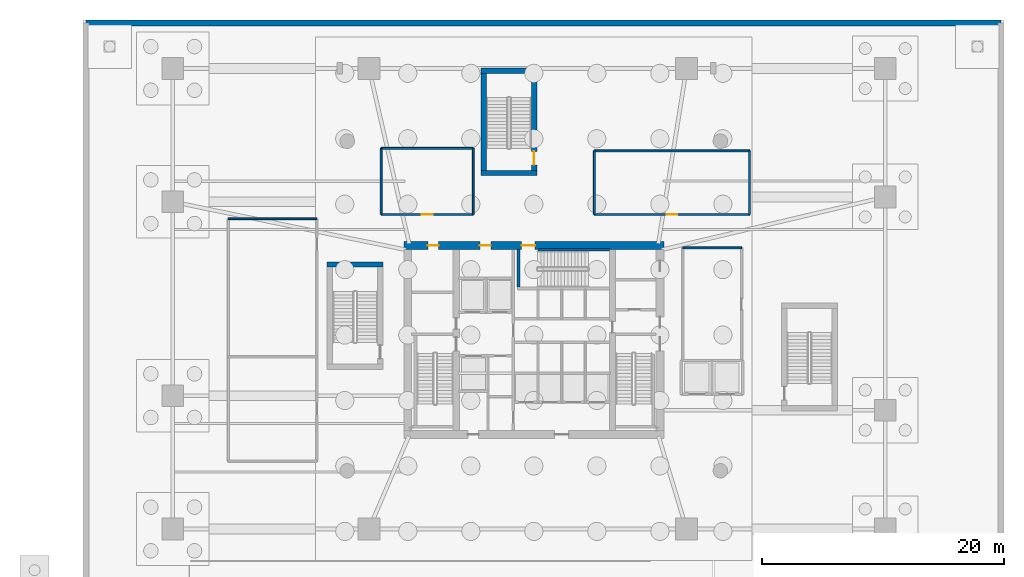
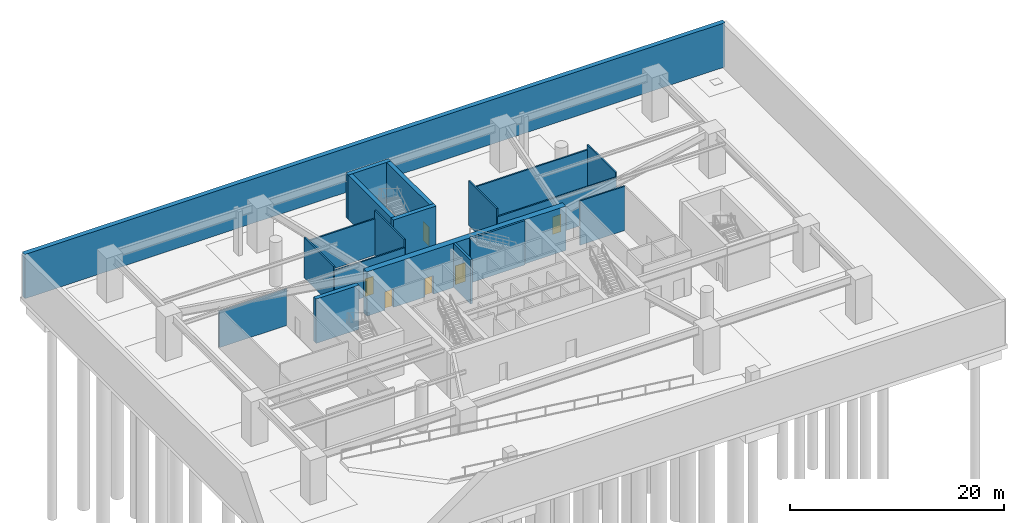
# One storey, part 7 of 11: 19 walls, 6 doors, 6 openings.
"""IFC4 building model written with IfcOpenShell, lengths in metres."""

from ifc_helpers import new_model, si_unit, direction, frame, frame_2d, origin, place, context, subcontext, project, spatial, rectangle, extrude, material, layer, layer_set, type_object, element, fill, save


model = new_model("IFC4")

# Units and contexts
model_context = context("Model", 3, precision=1e-05, world=origin(), true_north=direction((0.0, 1.0)))
body_context = subcontext(model_context, "Body", "Model", "MODEL_VIEW")
ifc_project = project(units=[si_unit("LENGTHUNIT", "METRE"), si_unit("AREAUNIT", "SQUARE_METRE"), si_unit("VOLUMEUNIT", "CUBIC_METRE"), si_unit("PLANEANGLEUNIT", "RADIAN"), si_unit("MASSUNIT", "GRAM", prefix="KILO")], contexts=[model_context])

# Site, building, storey
site_placement = place(None, origin())
site = spatial("IfcSite", under=ifc_project, at=site_placement, CompositionType="ELEMENT")
building_placement = place(site_placement, origin())
building = spatial("IfcBuilding", under=site, at=building_placement, Name="Qarnah Convention Tower", CompositionType="ELEMENT")
storey_placement = place(building_placement, frame((0.0, 0.0, -5.39990234375)))
storey = spatial("IfcBuildingStorey", under=building, at=storey_placement, Name="B1", CompositionType="ELEMENT", Elevation=-5.39990234375)

# Wall, openings, doors
ifc_material_1 = material(Name="Concrete C60/75", Category="concrete")
ifc_layer_1 = layer(ifc_material_1, 0.64990234375)
ifc_layer_set_1 = layer_set([ifc_layer_1], Name="Concrete C60/75")
wall_type_1 = type_object("IfcWallType", Name="WL-CORE-650", PredefinedType="SHEAR", material=ifc_layer_set_1)
wall_1_placement = place(storey_placement, frame((26.47509765625, 34.199951171875, 0.0), z_axis=(0.0, 0.0, 1.0), x_axis=(1.0, 0.0, 0.0)))
wall_1 = element("IfcWall", 1, at=wall_1_placement, inside=storey, type_object=wall_type_1, Name="B1 core north shear wall", PredefinedType="SHEAR", context=body_context, shape_type="SweptSolid", body=[
    extrude(rectangle(XDim=21.449951171875, YDim=0.64990234375, at=frame_2d((10.72509765625, 0.0))), origin(), (0.0, 0.0, 1.0), 5.0498046875),
])
opening_1_placement = place(wall_1_placement, frame((9.72509765625, 0.0, 0.0)))
opening_1 = element("IfcOpeningElement", 2, at=opening_1_placement, cuts=wall_1, Name="Opening D-B103", PredefinedType="OPENING", context=body_context, shape_type="SweptSolid", body=[
    extrude(rectangle(XDim=1.10009765625, YDim=2.14990234375, at=frame_2d((0.550048828125, 1.074951171875))), frame((0.0, 0.3349609375, 0.0), z_axis=(0.0, -1.0, 0.0), x_axis=(1.0, 0.0, 0.0)), (0.0, 0.0, 1.0), 0.669921875),
])
opening_2_placement = place(wall_1_placement, frame((1.97509765625, 0.0, 0.0)))
opening_2 = element("IfcOpeningElement", 3, at=opening_2_placement, cuts=wall_1, Name="Opening D-B109", PredefinedType="OPENING", context=body_context, shape_type="SweptSolid", body=[
    extrude(rectangle(XDim=0.89990234375, YDim=2.10009765625, at=frame_2d((0.449951171875, 1.050048828125))), frame((0.0, 0.3349609375, 0.0), z_axis=(0.0, -1.0, 0.0), x_axis=(1.0, 0.0, 0.0)), (0.0, 0.0, 1.0), 0.669921875),
])
opening_3_placement = place(wall_1_placement, frame((6.27490234375, 0.0, 0.0)))
opening_3 = element("IfcOpeningElement", 4, at=opening_3_placement, cuts=wall_1, Name="Opening D-B110", PredefinedType="OPENING", context=body_context, shape_type="SweptSolid", body=[
    extrude(rectangle(XDim=0.89990234375, YDim=2.10009765625, at=frame_2d((0.449951171875, 1.050048828125))), frame((0.0, 0.3349609375, 0.0), z_axis=(0.0, -1.0, 0.0), x_axis=(1.0, 0.0, 0.0)), (0.0, 0.0, 1.0), 0.669921875),
])
ifc_material_2 = material(Name="Structural steel S355JR", Category="steel")
door_type_1 = type_object("IfcDoorType", Name="DT-RISER-900", OperationType="NOTDEFINED", PredefinedType="DOOR", material=ifc_material_2)
door_1_placement = place(opening_2_placement, origin())
door_1 = element("IfcDoor", 5, at=door_1_placement, inside=storey, type_object=door_type_1, Name="Door D-B109", OperationType="SINGLE_SWING_LEFT", OverallHeight=2.10009765625, OverallWidth=0.89990234375, PredefinedType="DOOR", context=body_context, shape_type="SweptSolid", body=[
    extrude(rectangle(XDim=0.89990234375, YDim=2.10009765625, at=frame_2d((0.449951171875, 1.050048828125))), frame((0.0, 0.02490234375, 0.0), z_axis=(0.0, -1.0, 0.0), x_axis=(1.0, 0.0, 0.0)), (0.0, 0.0, 1.0), 0.050048828125),
])
fill(opening_2, door_1)
door_2_placement = place(opening_3_placement, origin())
door_2 = element("IfcDoor", 6, at=door_2_placement, inside=storey, type_object=door_type_1, Name="Door D-B110", OperationType="SINGLE_SWING_RIGHT", OverallHeight=2.10009765625, OverallWidth=0.89990234375, PredefinedType="DOOR", context=body_context, shape_type="SweptSolid", body=[
    extrude(rectangle(XDim=0.89990234375, YDim=2.10009765625, at=frame_2d((0.449951171875, 1.050048828125))), frame((0.0, 0.02490234375, 0.0), z_axis=(0.0, -1.0, 0.0), x_axis=(1.0, 0.0, 0.0)), (0.0, 0.0, 1.0), 0.050048828125),
])
fill(opening_3, door_2)
door_type_2 = type_object("IfcDoorType", Name="DT-STAIR-1100", OperationType="NOTDEFINED", PredefinedType="DOOR", material=ifc_material_2)
door_3_placement = place(opening_1_placement, origin())
door_3 = element("IfcDoor", 7, at=door_3_placement, inside=storey, type_object=door_type_2, Name="Door D-B103", OperationType="SINGLE_SWING_LEFT", OverallHeight=2.14990234375, OverallWidth=1.10009765625, PredefinedType="DOOR", context=body_context, shape_type="SweptSolid", body=[
    extrude(rectangle(XDim=1.10009765625, YDim=2.14990234375, at=frame_2d((0.550048828125, 1.074951171875))), frame((0.0, 0.02490234375, 0.0), z_axis=(0.0, -1.0, 0.0), x_axis=(1.0, 0.0, 0.0)), (0.0, 0.0, 1.0), 0.050048828125),
])
fill(opening_1, door_3)

# Walls
ifc_layer_2 = layer(ifc_material_1, 0.219970703125)
ifc_layer_set_2 = layer_set([ifc_layer_2], Name="Concrete C60/75")
wall_type_2 = type_object("IfcWallType", Name="WL-CORE-STAIR-220", PredefinedType="SHEAR", material=ifc_layer_set_2)
wall_2_placement = place(storey_placement, frame((35.93994140625, 30.75, 0.0), z_axis=(0.0, 0.0, 1.0), x_axis=(0.0, 1.0, 0.0)))
element("IfcWall", 8, at=wall_2_placement, inside=storey, type_object=wall_type_2, Name="B1 stair shaft shear wall SW-B1-ST3W", PredefinedType="SHEAR", context=body_context, shape_type="SweptSolid", body=[
    extrude(rectangle(XDim=3.125, YDim=0.219970703125, at=frame_2d((1.5625, 0.0))), origin(), (0.0, 0.0, 1.0), 5.0498046875),
])
wall_3_placement = place(storey_placement, frame((37.550048828125, 33.840087890625, 0.0), z_axis=(0.0, 0.0, 1.0), x_axis=(1.0, 0.0, 0.0)))
element("IfcWall", 9, at=wall_3_placement, inside=storey, type_object=wall_type_2, Name="B1 stair shaft shear wall SW-B1-ST3N", PredefinedType="SHEAR", context=body_context, shape_type="SweptSolid", body=[
    extrude(rectangle(XDim=5.89990234375, YDim=0.219970703125, at=frame_2d((2.949951171875, 0.0))), origin(), (0.0, 0.0, 1.0), 5.0498046875),
])
ifc_material_3 = material(Name="Gypsum partition board")
ifc_layer_3 = layer(ifc_material_3, 0.159912109375)
ifc_layer_set_3 = layer_set([ifc_layer_3], Name="Gypsum partition board")
wall_type_3 = type_object("IfcWallType", Name="WL-CORR-160", PredefinedType="PARTITIONING", material=ifc_layer_set_3)
wall_4_placement = place(storey_placement, frame((19.300048828125, 36.39990234375, 0.0), z_axis=(0.0, 0.0, 1.0), x_axis=(-1.0, 0.0, 0.0)))
element("IfcWall", 10, at=wall_4_placement, inside=storey, type_object=wall_type_3, Name="B1 interior wall IW-B1-R-06", PredefinedType="PARTITIONING", context=body_context, shape_type="SweptSolid", body=[
    extrude(rectangle(XDim=7.300048828125, YDim=0.159912109375, at=frame_2d((3.64990234375, 0.0))), origin(), (0.0, 0.0, 1.0), 4.135009765625),
])
wall_5_placement = place(storey_placement, frame((54.35009765625, 34.0, 0.0), z_axis=(0.0, 0.0, 1.0), x_axis=(-1.0, 0.0, 0.0)))
element("IfcWall", 11, at=wall_5_placement, inside=storey, type_object=wall_type_3, Name="B1 interior wall IW-B1-R-09", PredefinedType="PARTITIONING", context=body_context, shape_type="SweptSolid", body=[
    extrude(rectangle(XDim=4.85009765625, YDim=0.159912109375, at=frame_2d((2.425048828125, 0.0))), origin(), (0.0, 0.0, 1.0), 5.0498046875),
])
wall_6_placement = place(storey_placement, frame((32.199951171875, 36.75, 0.0), z_axis=(0.0, 0.0, 1.0), x_axis=(0.0, 1.0, 0.0)))
element("IfcWall", 12, at=wall_6_placement, inside=storey, type_object=wall_type_3, Name="B1 interior wall IW-B1-R-11", PredefinedType="PARTITIONING", context=body_context, shape_type="SweptSolid", body=[
    extrude(rectangle(XDim=5.449951171875, YDim=0.159912109375, at=frame_2d((2.72509765625, 0.0))), origin(), (0.0, 0.0, 1.0), 5.0498046875),
])
wall_7_placement = place(storey_placement, frame((32.199951171875, 42.199951171875, 0.0), z_axis=(0.0, 0.0, 1.0), x_axis=(-1.0, 0.0, 0.0)))
element("IfcWall", 13, at=wall_7_placement, inside=storey, type_object=wall_type_3, Name="B1 interior wall IW-B1-R-12", PredefinedType="PARTITIONING", context=body_context, shape_type="SweptSolid", body=[
    extrude(rectangle(XDim=7.599853515625, YDim=0.159912109375, at=frame_2d((3.7998046875, 0.0))), origin(), (0.0, 0.0, 1.0), 4.135009765625),
])
wall_8_placement = place(storey_placement, frame((24.60009765625, 42.199951171875, 0.0), z_axis=(0.0, 0.0, 1.0), x_axis=(0.0, -1.0, 0.0)))
element("IfcWall", 14, at=wall_8_placement, inside=storey, type_object=wall_type_3, Name="B1 interior wall IW-B1-R-13", PredefinedType="PARTITIONING", context=body_context, shape_type="SweptSolid", body=[
    extrude(rectangle(XDim=5.449951171875, YDim=0.159912109375, at=frame_2d((2.72509765625, 0.0))), origin(), (0.0, 0.0, 1.0), 4.626953125),
])

# Wall, opening, door
wall_9_placement = place(storey_placement, frame((24.60009765625, 36.75, 0.0), z_axis=(0.0, 0.0, 1.0), x_axis=(1.0, 0.0, 0.0)))
wall_9 = element("IfcWall", 15, at=wall_9_placement, inside=storey, type_object=wall_type_3, Name="B1 interior wall IW-B1-R-14", PredefinedType="PARTITIONING", context=body_context, shape_type="SweptSolid", body=[
    extrude(rectangle(XDim=7.599853515625, YDim=0.159912109375, at=frame_2d((3.7998046875, 0.0))), origin(), (0.0, 0.0, 1.0), 4.135009765625),
])
opening_4_placement = place(wall_9_placement, frame((3.35009765625, 0.0, 0.0)))
opening_4 = element("IfcOpeningElement", 16, at=opening_4_placement, cuts=wall_9, Name="Opening D-B122", PredefinedType="OPENING", context=body_context, shape_type="SweptSolid", body=[
    extrude(rectangle(XDim=0.89990234375, YDim=2.0, at=frame_2d((0.449951171875, 1.0))), frame((0.0, 0.08984375, 0.0), z_axis=(0.0, -1.0, 0.0), x_axis=(1.0, 0.0, 0.0)), (0.0, 0.0, 1.0), 0.179931640625),
])
door_type_3 = type_object("IfcDoorType", Name="DT-PLANT-900", OperationType="NOTDEFINED", PredefinedType="DOOR", material=ifc_material_2)
door_4_placement = place(opening_4_placement, origin())
door_4 = element("IfcDoor", 17, at=door_4_placement, inside=storey, type_object=door_type_3, Name="Door D-B122", OperationType="SINGLE_SWING_RIGHT", OverallHeight=2.0, OverallWidth=0.89990234375, PredefinedType="DOOR", context=body_context, shape_type="SweptSolid", body=[
    extrude(rectangle(XDim=0.89990234375, YDim=2.0, at=frame_2d((0.449951171875, 1.0))), frame((0.0, 0.02490234375, 0.0), z_axis=(0.0, -1.0, 0.0), x_axis=(1.0, 0.0, 0.0)), (0.0, 0.0, 1.0), 0.050048828125),
])
fill(opening_4, door_4)

# Walls
wall_10_placement = place(storey_placement, frame((55.0, 36.75, 0.0), z_axis=(0.0, 0.0, 1.0), x_axis=(0.0, 1.0, 0.0)))
element("IfcWall", 18, at=wall_10_placement, inside=storey, type_object=wall_type_3, Name="B1 interior wall IW-B1-R-15", PredefinedType="PARTITIONING", context=body_context, shape_type="SweptSolid", body=[
    extrude(rectangle(XDim=5.25, YDim=0.159912109375, at=frame_2d((2.625, 0.0))), origin(), (0.0, 0.0, 1.0), 4.678955078125),
])
wall_11_placement = place(storey_placement, frame((55.0, 42.0, 0.0), z_axis=(0.0, 0.0, 1.0), x_axis=(-1.0, 0.0, 0.0)))
element("IfcWall", 19, at=wall_11_placement, inside=storey, type_object=wall_type_3, Name="B1 interior wall IW-B1-R-16", PredefinedType="PARTITIONING", context=body_context, shape_type="SweptSolid", body=[
    extrude(rectangle(XDim=12.800048828125, YDim=0.159912109375, at=frame_2d((6.39990234375, 0.0))), origin(), (0.0, 0.0, 1.0), 4.135009765625),
])
wall_12_placement = place(storey_placement, frame((42.199951171875, 42.0, 0.0), z_axis=(0.0, 0.0, 1.0), x_axis=(0.0, -1.0, 0.0)))
element("IfcWall", 20, at=wall_12_placement, inside=storey, type_object=wall_type_3, Name="B1 interior wall IW-B1-R-17", PredefinedType="PARTITIONING", context=body_context, shape_type="SweptSolid", body=[
    extrude(rectangle(XDim=5.25, YDim=0.159912109375, at=frame_2d((2.625, 0.0))), origin(), (0.0, 0.0, 1.0), 5.0498046875),
])

# Wall, opening, door
wall_13_placement = place(storey_placement, frame((42.199951171875, 36.75, 0.0), z_axis=(0.0, 0.0, 1.0), x_axis=(1.0, 0.0, 0.0)))
wall_13 = element("IfcWall", 21, at=wall_13_placement, inside=storey, type_object=wall_type_3, Name="B1 interior wall IW-B1-R-18", PredefinedType="PARTITIONING", context=body_context, shape_type="SweptSolid", body=[
    extrude(rectangle(XDim=12.800048828125, YDim=0.159912109375, at=frame_2d((6.39990234375, 0.0))), origin(), (0.0, 0.0, 1.0), 4.135009765625),
])
opening_5_placement = place(wall_13_placement, frame((5.949951171875, 0.0, 0.0)))
opening_5 = element("IfcOpeningElement", 22, at=opening_5_placement, cuts=wall_13, Name="Opening D-B123", PredefinedType="OPENING", context=body_context, shape_type="SweptSolid", body=[
    extrude(rectangle(XDim=0.89990234375, YDim=2.0, at=frame_2d((0.449951171875, 1.0))), frame((0.0, 0.08984375, 0.0), z_axis=(0.0, -1.0, 0.0), x_axis=(1.0, 0.0, 0.0)), (0.0, 0.0, 1.0), 0.179931640625),
])
door_5_placement = place(opening_5_placement, origin())
door_5 = element("IfcDoor", 23, at=door_5_placement, inside=storey, type_object=door_type_3, Name="Door D-B123", OperationType="SINGLE_SWING_LEFT", OverallHeight=2.0, OverallWidth=0.89990234375, PredefinedType="DOOR", context=body_context, shape_type="SweptSolid", body=[
    extrude(rectangle(XDim=0.89990234375, YDim=2.0, at=frame_2d((0.449951171875, 1.0))), frame((0.0, 0.02490234375, 0.0), z_axis=(0.0, -1.0, 0.0), x_axis=(1.0, 0.0, 0.0)), (0.0, 0.0, 1.0), 0.050048828125),
])
fill(opening_5, door_5)

# Walls
ifc_layer_4 = layer(ifc_material_1, 0.449951171875)
ifc_layer_set_4 = layer_set([ifc_layer_4], Name="Concrete C60/75")
wall_type_4 = type_object("IfcWallType", Name="WL-POD-CORE-450", PredefinedType="SHEAR", material=ifc_layer_set_4)
wall_14_placement = place(storey_placement, frame((20.14990234375, 32.625, 0.0), z_axis=(0.0, 0.0, 1.0), x_axis=(1.0, 0.0, 0.0)))
element("IfcWall", 24, at=wall_14_placement, inside=storey, type_object=wall_type_4, Name="B1 podium stair ST-5 north wall", PredefinedType="SHEAR", context=body_context, shape_type="SweptSolid", body=[
    extrude(rectangle(XDim=4.60009765625, YDim=0.449951171875, at=frame_2d((2.300048828125, 0.0))), origin(), (0.0, 0.0, 1.0), 5.0498046875),
])
for number, where, z_axis, x_axis, name in (
    (25, (32.85009765625, 40.175048828125, 0.0), (0.0, 0.0, 1.0), (1.0, 0.0, 0.0), "B1 podium stair ST-6 south wall"),
    (26, (32.85009765625, 48.625, 0.0), (0.0, 0.0, 1.0), (1.0, 0.0, 0.0), "B1 podium stair ST-6 north wall"),
):
    element("IfcWall", number, at=place(storey_placement, frame(where, z_axis=z_axis, x_axis=x_axis)), inside=storey, type_object=wall_type_4, Name=name, PredefinedType="SHEAR", context=body_context, shape_type="SweptSolid", body=[
        extrude(rectangle(XDim=4.599853515625, YDim=0.449951171875, at=frame_2d((2.2998046875, 0.0))), origin(), (0.0, 0.0, 1.0), 5.0498046875),
    ])
wall_15_placement = place(storey_placement, frame((33.074951171875, 40.39990234375, 0.0), z_axis=(0.0, 0.0, 1.0), x_axis=(0.0, 1.0, 0.0)))
element("IfcWall", 27, at=wall_15_placement, inside=storey, type_object=wall_type_4, Name="B1 podium stair ST-6 west wall", PredefinedType="SHEAR", context=body_context, shape_type="SweptSolid", body=[
    extrude(rectangle(XDim=8.0, YDim=0.449951171875, at=frame_2d((4.0, 0.0))), origin(), (0.0, 0.0, 1.0), 5.0498046875),
])

# Wall, opening, door
wall_16_placement = place(storey_placement, frame((37.22509765625, 40.39990234375, 0.0), z_axis=(0.0, 0.0, 1.0), x_axis=(0.0, 1.0, 0.0)))
wall_16 = element("IfcWall", 28, at=wall_16_placement, inside=storey, type_object=wall_type_4, Name="B1 podium stair ST-6 east wall", PredefinedType="SHEAR", context=body_context, shape_type="SweptSolid", body=[
    extrude(rectangle(XDim=8.0, YDim=0.449951171875, at=frame_2d((4.0, 0.0))), origin(), (0.0, 0.0, 1.0), 5.0498046875),
])
opening_6_placement = place(wall_16_placement, frame((0.449951171875, 0.0, 0.0)))
opening_6 = element("IfcOpeningElement", 29, at=opening_6_placement, cuts=wall_16, Name="Opening D-B118", PredefinedType="OPENING", context=body_context, shape_type="SweptSolid", body=[
    extrude(rectangle(XDim=1.10009765625, YDim=2.14990234375, at=frame_2d((0.550048828125, 1.074951171875))), frame((0.0, 0.23486328125, 0.0), z_axis=(0.0, -1.0, 0.0), x_axis=(1.0, 0.0, 0.0)), (0.0, 0.0, 1.0), 0.469970703125),
])
door_6_placement = place(opening_6_placement, origin())
door_6 = element("IfcDoor", 30, at=door_6_placement, inside=storey, type_object=door_type_2, Name="Door D-B118", OperationType="SINGLE_SWING_RIGHT", OverallHeight=2.14990234375, OverallWidth=1.10009765625, PredefinedType="DOOR", context=body_context, shape_type="SweptSolid", body=[
    extrude(rectangle(XDim=1.10009765625, YDim=2.14990234375, at=frame_2d((0.550048828125, 1.074951171875))), frame((0.0, 0.02490234375, 0.0), z_axis=(0.0, -1.0, 0.0), x_axis=(1.0, 0.0, 0.0)), (0.0, 0.0, 1.0), 0.050048828125),
])
fill(opening_6, door_6)

# Wall
ifc_material_4 = material(Name="Concrete C50/60", Category="concrete")
ifc_layer_5 = layer(ifc_material_4, 0.5)
ifc_layer_set_5 = layer_set([ifc_layer_5], Name="Concrete C50/60")
wall_type_5 = type_object("IfcWallType", Name="WL-RET-500", PredefinedType="USERDEFINED", material=ifc_layer_set_5)
wall_17_placement = place(storey_placement, frame((75.75, 52.550048828125, 0.0), z_axis=(0.0, 0.0, 1.0), x_axis=(-1.0, 0.0, 0.0)))
element("IfcWall", 31, at=wall_17_placement, inside=storey, type_object=wall_type_5, Name="Basement perimeter retaining wall N", ObjectType="RETAININGWALL", PredefinedType="USERDEFINED", context=body_context, shape_type="SweptSolid", body=[
    extrude(rectangle(XDim=75.5, YDim=0.5, at=frame_2d((37.75, 0.0))), origin(), (0.0, 0.0, 1.0), 5.0498046875),
])

save(model, "model.ifc")
